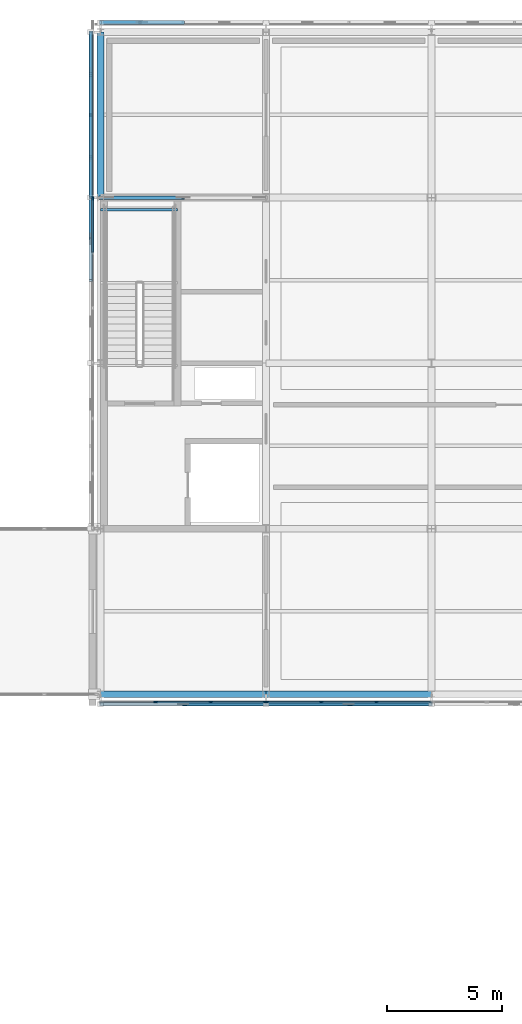
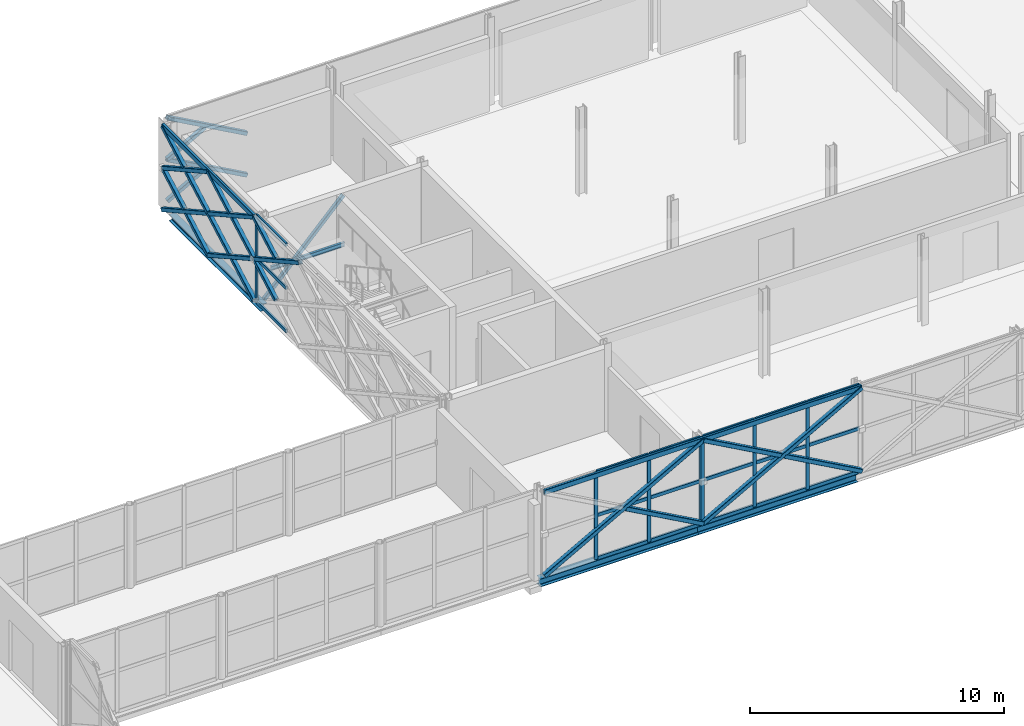
# One storey, part 52 of 103: 53 members, 4 beams, 3 elements without a shape of their own.
"""IFC4 building model written with IfcOpenShell, lengths in metres."""

from ifc_helpers import new_model, si_unit, direction, frame, origin, origin_2d, place, context, subcontext, project, spatial, rectangle, hollow_rectangle, i_section, extrude, material, material_profile, profile_set, type_object, element, aggregate, save


model = new_model("IFC4")

# Units and contexts
model_context = context("Model", 3, precision=1e-05, world=origin(), true_north=direction((0.0, 1.0)))
body_context = subcontext(model_context, "Body", "Model", "MODEL_VIEW")
ifc_project = project(units=[si_unit("LENGTHUNIT", "METRE"), si_unit("AREAUNIT", "SQUARE_METRE"), si_unit("VOLUMEUNIT", "CUBIC_METRE"), si_unit("PLANEANGLEUNIT", "RADIAN"), si_unit("MASSUNIT", "GRAM", prefix="KILO")], contexts=[model_context])

# Site, building, storey
site_placement = place(None, origin())
site = spatial("IfcSite", under=ifc_project, at=site_placement, CompositionType="ELEMENT")
building_placement = place(site_placement, origin())
building = spatial("IfcBuilding", under=site, at=building_placement, Name="Zlatovets Crest Museum", CompositionType="ELEMENT")
storey_placement = place(building_placement, frame((0.0, 0.0, 12.89990234375)))
storey = spatial("IfcBuildingStorey", under=building, at=storey_placement, Name="L03", CompositionType="ELEMENT", Elevation=12.89990234375)

# Beams
ifc_material_1 = material(Name="Structural steel S355J2", Category="steel")
ifc_material_profile_1 = material_profile(ifc_material_1, i_section(OverallWidth=0.300048828125, OverallDepth=0.389892578125, WebThickness=0.010986328125, FlangeThickness=0.01904296875, FilletRadius=0.027099609375, at=origin_2d()), Name="HEA 400")
ifc_profile_set_1 = profile_set([ifc_material_profile_1], Name="Structural steel S355J2")
beam_type_1 = type_object("IfcBeamType", Name="Beam_B-02", PredefinedType="BEAM", material=ifc_profile_set_1)
for number, where, z_axis, x_axis, name in (
    (1, (57.60009765625, 86.39990234375, -0.434814453125), (1.0, 0.0, 0.0), (0.0, 1.0, 0.0), "V1 L03 Primary Girder B-02"),
    (2, (64.800048828125, 86.39990234375, -0.434814453125), (1.0, 0.0, 0.0), (0.0, 1.0, 0.0), "V1 L03 Primary Girder B-02"),
):
    element("IfcBeam", number, at=place(storey_placement, frame(where, z_axis=z_axis, x_axis=x_axis)), inside=storey, type_object=beam_type_1, Name=name, PredefinedType="BEAM", context=body_context, shape_type="SweptSolid", body=[
        extrude(i_section(OverallWidth=0.300048828125, OverallDepth=0.389892578125, WebThickness=0.010986328125, FlangeThickness=0.01904296875, FilletRadius=0.027099609375, at=origin_2d()), origin(), (0.0, 0.0, 1.0), 7.199951171875),
    ])
ifc_material_profile_2 = material_profile(ifc_material_1, i_section(OverallWidth=0.300048828125, OverallDepth=0.31005859375, WebThickness=0.009033203125, FlangeThickness=0.015380859375, FilletRadius=0.027099609375, at=origin_2d()), Name="HEA 320")
ifc_profile_set_2 = profile_set([ifc_material_profile_2], Name="Structural steel S355J2")
beam_type_2 = type_object("IfcBeamType", Name="Beam_B-04", PredefinedType="BEAM", material=ifc_profile_set_2)
beam_1_placement = place(storey_placement, frame((57.60009765625, 108.0, -0.39501953125), z_axis=(0.0, 1.0, 0.0), x_axis=(-1.0, 0.0, 0.0)))
element("IfcBeam", 3, at=beam_1_placement, inside=storey, type_object=beam_type_2, Name="V1 L03 Grid Beam B-04", PredefinedType="BEAM", context=body_context, shape_type="SweptSolid", body=[
    extrude(i_section(OverallWidth=0.300048828125, OverallDepth=0.31005859375, WebThickness=0.009033203125, FlangeThickness=0.015380859375, FilletRadius=0.027099609375, at=origin_2d()), origin(), (0.0, 0.0, 1.0), 7.199951171875),
])
ifc_material_profile_3 = material_profile(ifc_material_1, i_section(OverallWidth=0.10009765625, OverallDepth=0.199951171875, WebThickness=0.005615234375, FlangeThickness=0.008544921875, FilletRadius=0.011962890625, at=origin_2d()), Name="IPE 200")
ifc_profile_set_3 = profile_set([ifc_material_profile_3], Name="Structural steel S355J2")
beam_type_3 = type_object("IfcBeamType", Name="Beam_PR-02", PredefinedType="LINTEL", material=ifc_profile_set_3)
beam_2_placement = place(storey_placement, frame((57.60009765625, 107.47998046875, 1.800048828125), z_axis=(1.0, 0.0, 0.0), x_axis=(0.0, 1.0, 0.0)))
element("IfcBeam", 4, at=beam_2_placement, inside=storey, type_object=beam_type_3, Name="Core C1 L03 Half-Landing Support Beam", PredefinedType="LINTEL", context=body_context, shape_type="SweptSolid", body=[
    extrude(i_section(OverallWidth=0.10009765625, OverallDepth=0.199951171875, WebThickness=0.005615234375, FlangeThickness=0.008544921875, FilletRadius=0.011962890625, at=origin_2d()), origin(), (0.0, 0.0, 1.0), 3.349853515625),
])

# Curtain wall, members
ifc_material_2 = material(Name="Bronze-anodised aluminium and low-E triple glass", Category="aluminium")
curtain_wall_type_1 = type_object("IfcCurtainWallType", Name="CW_CW-V1-L03-M0", PredefinedType="NOTDEFINED", material=ifc_material_2)
curtain_wall_1_placement = place(storey_placement, origin())
curtain_wall_1 = element("IfcCurtainWall", 5, at=curtain_wall_1_placement, inside=storey, type_object=curtain_wall_type_1, Name="V1 L03 Secession Foyer Clear Curtain Wall", PredefinedType="NOTDEFINED")
ifc_material_3 = material(Name="Bronze-anodised aluminium EN AW-6060", Category="aluminium")
ifc_material_profile_4 = material_profile(ifc_material_3, rectangle(XDim=0.080078125, YDim=0.159912109375, at=origin_2d()), Name="ALU 80x160")
ifc_profile_set_4 = profile_set([ifc_material_profile_4], Name="Bronze-anodised aluminium EN AW-6060")
member_type_1 = type_object("IfcMemberType", Name="CWMull_M1", PredefinedType="MULLION", material=ifc_profile_set_4)
member_1_placement = place(storey_placement, frame((60.0, 86.06005859375, 0.0), z_axis=(0.0, 0.0, 1.0), x_axis=(0.0, 1.0, 0.0)))
member_1 = element("IfcMember", 6, at=member_1_placement, type_object=member_type_1, Name="CW-V1-L03-M0 mullion 2", PredefinedType="MULLION", context=body_context, shape_type="SweptSolid", body=[
    extrude(rectangle(XDim=0.080078125, YDim=0.159912109375, at=origin_2d()), origin(), (0.0, 0.0, 1.0), 4.2001953125),
])
member_2_placement = place(storey_placement, frame((62.39990234375, 86.06005859375, 0.0), z_axis=(0.0, 0.0, 1.0), x_axis=(0.0, 1.0, 0.0)))
member_2 = element("IfcMember", 7, at=member_2_placement, type_object=member_type_1, Name="CW-V1-L03-M0 mullion 3", PredefinedType="MULLION", context=body_context, shape_type="SweptSolid", body=[
    extrude(rectangle(XDim=0.080078125, YDim=0.159912109375, at=origin_2d()), origin(), (0.0, 0.0, 1.0), 4.2001953125),
])
member_3_placement = place(storey_placement, frame((64.77001953125, 86.06005859375, 0.0), z_axis=(0.0, 0.0, 1.0), x_axis=(0.0, 1.0, 0.0)))
member_3 = element("IfcMember", 8, at=member_3_placement, type_object=member_type_1, Name="CW-V1-L03-M0 mullion 4", PredefinedType="MULLION", context=body_context, shape_type="SweptSolid", body=[
    extrude(rectangle(XDim=0.080078125, YDim=0.159912109375, at=origin_2d()), origin(), (0.0, 0.0, 1.0), 4.2001953125),
])

curtain_wall_type_2 = type_object("IfcCurtainWallType", Name="CW_CW-V1-L03-M1", PredefinedType="NOTDEFINED", material=ifc_material_2)
curtain_wall_2_placement = place(storey_placement, origin())
curtain_wall_2 = element("IfcCurtainWall", 9, at=curtain_wall_2_placement, inside=storey, type_object=curtain_wall_type_2, Name="V1 L03 Secession Foyer Clear Curtain Wall", PredefinedType="NOTDEFINED")
member_4_placement = place(storey_placement, frame((64.830078125, 86.06005859375, 0.0), z_axis=(0.0, 0.0, 1.0), x_axis=(0.0, 1.0, 0.0)))
member_4 = element("IfcMember", 10, at=member_4_placement, type_object=member_type_1, Name="CW-V1-L03-M1 mullion 1", PredefinedType="MULLION", context=body_context, shape_type="SweptSolid", body=[
    extrude(rectangle(XDim=0.080078125, YDim=0.159912109375, at=origin_2d()), origin(), (0.0, 0.0, 1.0), 4.2001953125),
])
member_5_placement = place(storey_placement, frame((67.199951171875, 86.06005859375, 0.0), z_axis=(0.0, 0.0, 1.0), x_axis=(0.0, 1.0, 0.0)))
member_5 = element("IfcMember", 11, at=member_5_placement, type_object=member_type_1, Name="CW-V1-L03-M1 mullion 2", PredefinedType="MULLION", context=body_context, shape_type="SweptSolid", body=[
    extrude(rectangle(XDim=0.080078125, YDim=0.159912109375, at=origin_2d()), origin(), (0.0, 0.0, 1.0), 4.2001953125),
])
member_6_placement = place(storey_placement, frame((69.60009765625, 86.06005859375, 0.0), z_axis=(0.0, 0.0, 1.0), x_axis=(0.0, 1.0, 0.0)))
member_6 = element("IfcMember", 12, at=member_6_placement, type_object=member_type_1, Name="CW-V1-L03-M1 mullion 3", PredefinedType="MULLION", context=body_context, shape_type="SweptSolid", body=[
    extrude(rectangle(XDim=0.080078125, YDim=0.159912109375, at=origin_2d()), origin(), (0.0, 0.0, 1.0), 4.2001953125),
])

# Curtain wall, member
curtain_wall_type_3 = type_object("IfcCurtainWallType", Name="CW_CW-V1-L03-M3", PredefinedType="NOTDEFINED", material=ifc_material_2)
curtain_wall_3_placement = place(storey_placement, origin())
curtain_wall_3 = element("IfcCurtainWall", 13, at=curtain_wall_3_placement, inside=storey, type_object=curtain_wall_type_3, Name="V1 L03 Expressed Core Glazed Facade", PredefinedType="NOTDEFINED")
member_7_placement = place(storey_placement, frame((57.260009765625, 107.969970703125, 0.0), z_axis=(0.0, 0.0, 1.0), x_axis=(1.0, 0.0, 0.0)))
member_7 = element("IfcMember", 14, at=member_7_placement, type_object=member_type_1, Name="CW-V1-L03-M3 mullion 1", PredefinedType="MULLION", context=body_context, shape_type="SweptSolid", body=[
    extrude(rectangle(XDim=0.080078125, YDim=0.159912109375, at=origin_2d()), origin(), (0.0, 0.0, 1.0), 4.2001953125),
])

# Member
ifc_material_profile_5 = material_profile(ifc_material_3, rectangle(XDim=0.080078125, YDim=0.159912109375, at=origin_2d()), Name="ALU 80x160")
ifc_profile_set_5 = profile_set([ifc_material_profile_5], Name="Bronze-anodised aluminium EN AW-6060")
member_type_2 = type_object("IfcMemberType", Name="CWTrans_T1", PredefinedType="USERDEFINED", material=ifc_profile_set_5)
member_8_placement = place(storey_placement, frame((60.030029296875, 86.06005859375, 0.030029296875), z_axis=(1.0, 0.0, 0.0), x_axis=(0.0, 1.0, 0.0)))
member_8 = element("IfcMember", 15, at=member_8_placement, type_object=member_type_2, Name="CW-V1-L03-M0 transom 2.1", ObjectType="TRANSOM", PredefinedType="USERDEFINED", context=body_context, shape_type="SweptSolid", body=[
    extrude(rectangle(XDim=0.080078125, YDim=0.159912109375, at=origin_2d()), origin(), (0.0, 0.0, 1.0), 2.340087890625),
])

member_9_placement = place(storey_placement, frame((60.030029296875, 86.06005859375, 2.10009765625), z_axis=(1.0, 0.0, 0.0), x_axis=(0.0, 1.0, 0.0)))
member_9 = element("IfcMember", 16, at=member_9_placement, type_object=member_type_2, Name="CW-V1-L03-M0 transom 2.2", ObjectType="TRANSOM", PredefinedType="USERDEFINED", context=body_context, shape_type="SweptSolid", body=[
    extrude(rectangle(XDim=0.080078125, YDim=0.159912109375, at=origin_2d()), origin(), (0.0, 0.0, 1.0), 2.340087890625),
])

member_10_placement = place(storey_placement, frame((60.030029296875, 86.06005859375, 4.170166015625), z_axis=(1.0, 0.0, 0.0), x_axis=(0.0, 1.0, 0.0)))
member_10 = element("IfcMember", 17, at=member_10_placement, type_object=member_type_2, Name="CW-V1-L03-M0 transom 2.3", ObjectType="TRANSOM", PredefinedType="USERDEFINED", context=body_context, shape_type="SweptSolid", body=[
    extrude(rectangle(XDim=0.080078125, YDim=0.159912109375, at=origin_2d()), origin(), (0.0, 0.0, 1.0), 2.340087890625),
])

member_11_placement = place(storey_placement, frame((62.429931640625, 86.06005859375, 0.030029296875), z_axis=(1.0, 0.0, 0.0), x_axis=(0.0, 1.0, 0.0)))
member_11 = element("IfcMember", 18, at=member_11_placement, type_object=member_type_2, Name="CW-V1-L03-M0 transom 3.1", ObjectType="TRANSOM", PredefinedType="USERDEFINED", context=body_context, shape_type="SweptSolid", body=[
    extrude(rectangle(XDim=0.080078125, YDim=0.159912109375, at=origin_2d()), origin(), (0.0, 0.0, 1.0), 2.31005859375),
])

member_12_placement = place(storey_placement, frame((62.429931640625, 86.06005859375, 2.10009765625), z_axis=(1.0, 0.0, 0.0), x_axis=(0.0, 1.0, 0.0)))
member_12 = element("IfcMember", 19, at=member_12_placement, type_object=member_type_2, Name="CW-V1-L03-M0 transom 3.2", ObjectType="TRANSOM", PredefinedType="USERDEFINED", context=body_context, shape_type="SweptSolid", body=[
    extrude(rectangle(XDim=0.080078125, YDim=0.159912109375, at=origin_2d()), origin(), (0.0, 0.0, 1.0), 2.31005859375),
])

member_13_placement = place(storey_placement, frame((62.429931640625, 86.06005859375, 4.170166015625), z_axis=(1.0, 0.0, 0.0), x_axis=(0.0, 1.0, 0.0)))
member_13 = element("IfcMember", 20, at=member_13_placement, type_object=member_type_2, Name="CW-V1-L03-M0 transom 3.3", ObjectType="TRANSOM", PredefinedType="USERDEFINED", context=body_context, shape_type="SweptSolid", body=[
    extrude(rectangle(XDim=0.080078125, YDim=0.159912109375, at=origin_2d()), origin(), (0.0, 0.0, 1.0), 2.31005859375),
])

aggregate(curtain_wall_1, [member_1, member_2, member_3, member_8, member_9, member_10, member_11, member_12, member_13])

member_14_placement = place(storey_placement, frame((64.860107421875, 86.06005859375, 0.030029296875), z_axis=(1.0, 0.0, 0.0), x_axis=(0.0, 1.0, 0.0)))
member_14 = element("IfcMember", 21, at=member_14_placement, type_object=member_type_2, Name="CW-V1-L03-M1 transom 1.1", ObjectType="TRANSOM", PredefinedType="USERDEFINED", context=body_context, shape_type="SweptSolid", body=[
    extrude(rectangle(XDim=0.080078125, YDim=0.159912109375, at=origin_2d()), origin(), (0.0, 0.0, 1.0), 2.309814453125),
])

member_15_placement = place(storey_placement, frame((64.860107421875, 86.06005859375, 2.10009765625), z_axis=(1.0, 0.0, 0.0), x_axis=(0.0, 1.0, 0.0)))
member_15 = element("IfcMember", 22, at=member_15_placement, type_object=member_type_2, Name="CW-V1-L03-M1 transom 1.2", ObjectType="TRANSOM", PredefinedType="USERDEFINED", context=body_context, shape_type="SweptSolid", body=[
    extrude(rectangle(XDim=0.080078125, YDim=0.159912109375, at=origin_2d()), origin(), (0.0, 0.0, 1.0), 2.309814453125),
])

member_16_placement = place(storey_placement, frame((64.860107421875, 86.06005859375, 4.170166015625), z_axis=(1.0, 0.0, 0.0), x_axis=(0.0, 1.0, 0.0)))
member_16 = element("IfcMember", 23, at=member_16_placement, type_object=member_type_2, Name="CW-V1-L03-M1 transom 1.3", ObjectType="TRANSOM", PredefinedType="USERDEFINED", context=body_context, shape_type="SweptSolid", body=[
    extrude(rectangle(XDim=0.080078125, YDim=0.159912109375, at=origin_2d()), origin(), (0.0, 0.0, 1.0), 2.309814453125),
])

member_17_placement = place(storey_placement, frame((67.22998046875, 86.06005859375, 0.030029296875), z_axis=(1.0, 0.0, 0.0), x_axis=(0.0, 1.0, 0.0)))
member_17 = element("IfcMember", 24, at=member_17_placement, type_object=member_type_2, Name="CW-V1-L03-M1 transom 2.1", ObjectType="TRANSOM", PredefinedType="USERDEFINED", context=body_context, shape_type="SweptSolid", body=[
    extrude(rectangle(XDim=0.080078125, YDim=0.159912109375, at=origin_2d()), origin(), (0.0, 0.0, 1.0), 2.340087890625),
])

member_18_placement = place(storey_placement, frame((67.22998046875, 86.06005859375, 2.10009765625), z_axis=(1.0, 0.0, 0.0), x_axis=(0.0, 1.0, 0.0)))
member_18 = element("IfcMember", 25, at=member_18_placement, type_object=member_type_2, Name="CW-V1-L03-M1 transom 2.2", ObjectType="TRANSOM", PredefinedType="USERDEFINED", context=body_context, shape_type="SweptSolid", body=[
    extrude(rectangle(XDim=0.080078125, YDim=0.159912109375, at=origin_2d()), origin(), (0.0, 0.0, 1.0), 2.340087890625),
])

member_19_placement = place(storey_placement, frame((67.22998046875, 86.06005859375, 4.170166015625), z_axis=(1.0, 0.0, 0.0), x_axis=(0.0, 1.0, 0.0)))
member_19 = element("IfcMember", 26, at=member_19_placement, type_object=member_type_2, Name="CW-V1-L03-M1 transom 2.3", ObjectType="TRANSOM", PredefinedType="USERDEFINED", context=body_context, shape_type="SweptSolid", body=[
    extrude(rectangle(XDim=0.080078125, YDim=0.159912109375, at=origin_2d()), origin(), (0.0, 0.0, 1.0), 2.340087890625),
])

member_20_placement = place(storey_placement, frame((69.6298828125, 86.06005859375, 0.030029296875), z_axis=(1.0, 0.0, 0.0), x_axis=(0.0, 1.0, 0.0)))
member_20 = element("IfcMember", 27, at=member_20_placement, type_object=member_type_2, Name="CW-V1-L03-M1 transom 3.1", ObjectType="TRANSOM", PredefinedType="USERDEFINED", context=body_context, shape_type="SweptSolid", body=[
    extrude(rectangle(XDim=0.080078125, YDim=0.159912109375, at=origin_2d()), origin(), (0.0, 0.0, 1.0), 2.31005859375),
])

member_21_placement = place(storey_placement, frame((69.6298828125, 86.06005859375, 2.10009765625), z_axis=(1.0, 0.0, 0.0), x_axis=(0.0, 1.0, 0.0)))
member_21 = element("IfcMember", 28, at=member_21_placement, type_object=member_type_2, Name="CW-V1-L03-M1 transom 3.2", ObjectType="TRANSOM", PredefinedType="USERDEFINED", context=body_context, shape_type="SweptSolid", body=[
    extrude(rectangle(XDim=0.080078125, YDim=0.159912109375, at=origin_2d()), origin(), (0.0, 0.0, 1.0), 2.31005859375),
])

member_22_placement = place(storey_placement, frame((69.6298828125, 86.06005859375, 4.170166015625), z_axis=(1.0, 0.0, 0.0), x_axis=(0.0, 1.0, 0.0)))
member_22 = element("IfcMember", 29, at=member_22_placement, type_object=member_type_2, Name="CW-V1-L03-M1 transom 3.3", ObjectType="TRANSOM", PredefinedType="USERDEFINED", context=body_context, shape_type="SweptSolid", body=[
    extrude(rectangle(XDim=0.080078125, YDim=0.159912109375, at=origin_2d()), origin(), (0.0, 0.0, 1.0), 2.31005859375),
])

aggregate(curtain_wall_2, [member_4, member_5, member_6, member_14, member_15, member_16, member_17, member_18, member_19, member_20, member_21, member_22])

member_23_placement = place(storey_placement, frame((57.260009765625, 107.93994140625, 0.030029296875), z_axis=(0.0, -1.0, 0.0), x_axis=(1.0, 0.0, 0.0)))
member_23 = element("IfcMember", 30, at=member_23_placement, type_object=member_type_2, Name="CW-V1-L03-M3 transom 1.1", ObjectType="TRANSOM", PredefinedType="USERDEFINED", context=body_context, shape_type="SweptSolid", body=[
    extrude(rectangle(XDim=0.080078125, YDim=0.159912109375, at=origin_2d()), origin(), (0.0, 0.0, 1.0), 2.31005859375),
])

member_24_placement = place(storey_placement, frame((57.260009765625, 107.93994140625, 2.10009765625), z_axis=(0.0, -1.0, 0.0), x_axis=(1.0, 0.0, 0.0)))
member_24 = element("IfcMember", 31, at=member_24_placement, type_object=member_type_2, Name="CW-V1-L03-M3 transom 1.2", ObjectType="TRANSOM", PredefinedType="USERDEFINED", context=body_context, shape_type="SweptSolid", body=[
    extrude(rectangle(XDim=0.080078125, YDim=0.159912109375, at=origin_2d()), origin(), (0.0, 0.0, 1.0), 2.31005859375),
])

member_25_placement = place(storey_placement, frame((57.260009765625, 107.93994140625, 4.170166015625), z_axis=(0.0, -1.0, 0.0), x_axis=(1.0, 0.0, 0.0)))
member_25 = element("IfcMember", 32, at=member_25_placement, type_object=member_type_2, Name="CW-V1-L03-M3 transom 1.3", ObjectType="TRANSOM", PredefinedType="USERDEFINED", context=body_context, shape_type="SweptSolid", body=[
    extrude(rectangle(XDim=0.080078125, YDim=0.159912109375, at=origin_2d()), origin(), (0.0, 0.0, 1.0), 2.31005859375),
])

aggregate(curtain_wall_3, [member_7, member_23, member_24, member_25])

# Members
ifc_material_4 = material(Name="Weathering bronze-steel S355J2W", Category="steel")
ifc_material_profile_6 = material_profile(ifc_material_4, hollow_rectangle(XDim=0.179931640625, YDim=0.179931640625, WallThickness=0.010009765625, InnerFilletRadius=0.010009765625, OuterFilletRadius=0.02001953125, at=origin_2d()), Name="SHS 180x180x10.0")
ifc_profile_set_6 = profile_set([ifc_material_profile_6], Name="Weathering bronze-steel S355J2W")
member_type_3 = type_object("IfcMemberType", Name="Lattice_XL-01", PredefinedType="BRACE", material=ifc_profile_set_6)
member_26_placement = place(storey_placement, frame((61.199951171875, 115.6201171875, 0.10009765625), z_axis=(-0.874148886685, 0.0, 0.485658031857), x_axis=(0.0, -1.0, 0.0)))
element("IfcMember", 33, at=member_26_placement, inside=storey, type_object=member_type_3, Name="Continuous Bronze Lattice Diagonal", PredefinedType="BRACE", context=body_context, shape_type="SweptSolid", body=[
    extrude(hollow_rectangle(XDim=0.179931640625, YDim=0.179931640625, WallThickness=0.010009765625, InnerFilletRadius=0.010009765625, OuterFilletRadius=0.02001953125, at=origin_2d()), origin(), (0.0, 0.0, 1.0), 4.1181640625),
])
member_27_placement = place(storey_placement, frame((59.31689453125, 115.6201171875, 1.053955078125), z_axis=(-0.874139684676, 0.0, -0.48567459443), x_axis=(0.0, -1.0, 0.0)))
element("IfcMember", 34, at=member_27_placement, inside=storey, type_object=member_type_3, Name="Split Crossing Bronze Lattice Diagonal Lower", PredefinedType="BRACE", context=body_context, shape_type="SweptSolid", body=[
    extrude(hollow_rectangle(XDim=0.179931640625, YDim=0.179931640625, WallThickness=0.010009765625, InnerFilletRadius=0.010009765625, OuterFilletRadius=0.02001953125, at=origin_2d()), origin(), (0.0, 0.0, 1.0), 1.9638671875),
])
member_28_placement = place(storey_placement, frame((61.199951171875, 115.6201171875, 2.10009765625), z_axis=(-0.874148886685, 0.0, 0.485658031857), x_axis=(0.0, -1.0, 0.0)))
element("IfcMember", 35, at=member_28_placement, inside=storey, type_object=member_type_3, Name="Continuous Bronze Lattice Diagonal", PredefinedType="BRACE", context=body_context, shape_type="SweptSolid", body=[
    extrude(hollow_rectangle(XDim=0.179931640625, YDim=0.179931640625, WallThickness=0.010009765625, InnerFilletRadius=0.010009765625, OuterFilletRadius=0.02001953125, at=origin_2d()), origin(), (0.0, 0.0, 1.0), 4.1181640625),
])
member_29_placement = place(storey_placement, frame((59.31689453125, 115.6201171875, 3.053955078125), z_axis=(-0.874139684676, 0.0, -0.48567459443), x_axis=(0.0, -1.0, 0.0)))
element("IfcMember", 36, at=member_29_placement, inside=storey, type_object=member_type_3, Name="Split Crossing Bronze Lattice Diagonal Lower", PredefinedType="BRACE", context=body_context, shape_type="SweptSolid", body=[
    extrude(hollow_rectangle(XDim=0.179931640625, YDim=0.179931640625, WallThickness=0.010009765625, InnerFilletRadius=0.010009765625, OuterFilletRadius=0.02001953125, at=origin_2d()), origin(), (0.0, 0.0, 1.0), 1.9638671875),
])
member_30_placement = place(storey_placement, frame((57.179931640625, 115.199951171875, 0.10009765625), z_axis=(0.0, -0.874148886685, 0.485658031857), x_axis=(1.0, 0.0, 0.0)))
element("IfcMember", 37, at=member_30_placement, inside=storey, type_object=member_type_3, Name="Continuous Bronze Lattice Diagonal", PredefinedType="BRACE", context=body_context, shape_type="SweptSolid", body=[
    extrude(hollow_rectangle(XDim=0.179931640625, YDim=0.179931640625, WallThickness=0.010009765625, InnerFilletRadius=0.010009765625, OuterFilletRadius=0.02001953125, at=origin_2d()), origin(), (0.0, 0.0, 1.0), 4.1181640625),
])
member_31_placement = place(storey_placement, frame((57.179931640625, 115.199951171875, 2.10009765625), z_axis=(0.0, -0.874169001841, -0.485621824284), x_axis=(1.0, 0.0, 0.0)))
element("IfcMember", 38, at=member_31_placement, inside=storey, type_object=member_type_3, Name="Split Crossing Bronze Lattice Diagonal Upper", PredefinedType="BRACE", context=body_context, shape_type="SweptSolid", body=[
    extrude(hollow_rectangle(XDim=0.179931640625, YDim=0.179931640625, WallThickness=0.010009765625, InnerFilletRadius=0.010009765625, OuterFilletRadius=0.02001953125, at=origin_2d()), origin(), (0.0, 0.0, 1.0), 1.964111328125),
])
member_32_placement = place(storey_placement, frame((57.179931640625, 113.31689453125, 1.053955078125), z_axis=(0.0, -0.874139684676, -0.48567459443), x_axis=(1.0, 0.0, 0.0)))
element("IfcMember", 39, at=member_32_placement, inside=storey, type_object=member_type_3, Name="Split Crossing Bronze Lattice Diagonal Lower", PredefinedType="BRACE", context=body_context, shape_type="SweptSolid", body=[
    extrude(hollow_rectangle(XDim=0.179931640625, YDim=0.179931640625, WallThickness=0.010009765625, InnerFilletRadius=0.010009765625, OuterFilletRadius=0.02001953125, at=origin_2d()), origin(), (0.0, 0.0, 1.0), 1.9638671875),
])
member_33_placement = place(storey_placement, frame((57.179931640625, 111.60009765625, 0.10009765625), z_axis=(0.0, -0.874162868644, 0.485632864501), x_axis=(1.0, 0.0, 0.0)))
element("IfcMember", 40, at=member_33_placement, inside=storey, type_object=member_type_3, Name="Continuous Bronze Lattice Diagonal", PredefinedType="BRACE", context=body_context, shape_type="SweptSolid", body=[
    extrude(hollow_rectangle(XDim=0.179931640625, YDim=0.179931640625, WallThickness=0.010009765625, InnerFilletRadius=0.010009765625, OuterFilletRadius=0.02001953125, at=origin_2d()), origin(), (0.0, 0.0, 1.0), 4.118408203125),
])
for number, where, z_axis, x_axis, name in (
    (41, (57.179931640625, 111.60009765625, 2.10009765625), (0.0, -0.874169001841, -0.485621824284), (1.0, 0.0, 0.0), "Split Crossing Bronze Lattice Diagonal Upper"),
    (42, (57.179931640625, 109.717041015625, 1.053955078125), (0.0, -0.874169001841, -0.485621824284), (1.0, 0.0, 0.0), "Split Crossing Bronze Lattice Diagonal Lower"),
):
    element("IfcMember", number, at=place(storey_placement, frame(where, z_axis=z_axis, x_axis=x_axis)), inside=storey, type_object=member_type_3, Name=name, PredefinedType="BRACE", context=body_context, shape_type="SweptSolid", body=[
        extrude(hollow_rectangle(XDim=0.179931640625, YDim=0.179931640625, WallThickness=0.010009765625, InnerFilletRadius=0.010009765625, OuterFilletRadius=0.02001953125, at=origin_2d()), origin(), (0.0, 0.0, 1.0), 1.964111328125),
    ])
member_34_placement = place(storey_placement, frame((57.179931640625, 115.199951171875, 2.10009765625), z_axis=(0.0, -0.874148886685, 0.485658031857), x_axis=(1.0, 0.0, 0.0)))
element("IfcMember", 43, at=member_34_placement, inside=storey, type_object=member_type_3, Name="Continuous Bronze Lattice Diagonal", PredefinedType="BRACE", context=body_context, shape_type="SweptSolid", body=[
    extrude(hollow_rectangle(XDim=0.179931640625, YDim=0.179931640625, WallThickness=0.010009765625, InnerFilletRadius=0.010009765625, OuterFilletRadius=0.02001953125, at=origin_2d()), origin(), (0.0, 0.0, 1.0), 4.1181640625),
])
member_35_placement = place(storey_placement, frame((57.179931640625, 115.199951171875, 4.10009765625), z_axis=(0.0, -0.874169001841, -0.485621824284), x_axis=(1.0, 0.0, 0.0)))
element("IfcMember", 44, at=member_35_placement, inside=storey, type_object=member_type_3, Name="Split Crossing Bronze Lattice Diagonal Upper", PredefinedType="BRACE", context=body_context, shape_type="SweptSolid", body=[
    extrude(hollow_rectangle(XDim=0.179931640625, YDim=0.179931640625, WallThickness=0.010009765625, InnerFilletRadius=0.010009765625, OuterFilletRadius=0.02001953125, at=origin_2d()), origin(), (0.0, 0.0, 1.0), 1.964111328125),
])
member_36_placement = place(storey_placement, frame((57.179931640625, 113.31689453125, 3.053955078125), z_axis=(0.0, -0.874139684676, -0.48567459443), x_axis=(1.0, 0.0, 0.0)))
element("IfcMember", 45, at=member_36_placement, inside=storey, type_object=member_type_3, Name="Split Crossing Bronze Lattice Diagonal Lower", PredefinedType="BRACE", context=body_context, shape_type="SweptSolid", body=[
    extrude(hollow_rectangle(XDim=0.179931640625, YDim=0.179931640625, WallThickness=0.010009765625, InnerFilletRadius=0.010009765625, OuterFilletRadius=0.02001953125, at=origin_2d()), origin(), (0.0, 0.0, 1.0), 1.9638671875),
])
member_37_placement = place(storey_placement, frame((57.179931640625, 111.60009765625, 2.10009765625), z_axis=(0.0, -0.874162868644, 0.485632864501), x_axis=(1.0, 0.0, 0.0)))
element("IfcMember", 46, at=member_37_placement, inside=storey, type_object=member_type_3, Name="Continuous Bronze Lattice Diagonal", PredefinedType="BRACE", context=body_context, shape_type="SweptSolid", body=[
    extrude(hollow_rectangle(XDim=0.179931640625, YDim=0.179931640625, WallThickness=0.010009765625, InnerFilletRadius=0.010009765625, OuterFilletRadius=0.02001953125, at=origin_2d()), origin(), (0.0, 0.0, 1.0), 4.118408203125),
])
for number, where, z_axis, x_axis, name in (
    (47, (57.179931640625, 111.60009765625, 4.10009765625), (0.0, -0.874169001841, -0.485621824284), (1.0, 0.0, 0.0), "Split Crossing Bronze Lattice Diagonal Upper"),
    (48, (57.179931640625, 109.717041015625, 3.053955078125), (0.0, -0.874169001841, -0.485621824284), (1.0, 0.0, 0.0), "Split Crossing Bronze Lattice Diagonal Lower"),
    (49, (57.179931640625, 108.0, 2.10009765625), (0.0, -0.874169001841, -0.485621824284), (1.0, 0.0, 0.0), "Split Crossing Bronze Lattice Diagonal Upper"),
):
    element("IfcMember", number, at=place(storey_placement, frame(where, z_axis=z_axis, x_axis=x_axis)), inside=storey, type_object=member_type_3, Name=name, PredefinedType="BRACE", context=body_context, shape_type="SweptSolid", body=[
        extrude(hollow_rectangle(XDim=0.179931640625, YDim=0.179931640625, WallThickness=0.010009765625, InnerFilletRadius=0.010009765625, OuterFilletRadius=0.02001953125, at=origin_2d()), origin(), (0.0, 0.0, 1.0), 1.964111328125),
    ])
member_38_placement = place(storey_placement, frame((57.179931640625, 108.0, 2.10009765625), z_axis=(0.0, -0.874162868644, 0.485632864501), x_axis=(1.0, 0.0, 0.0)))
element("IfcMember", 50, at=member_38_placement, inside=storey, type_object=member_type_3, Name="Continuous Bronze Lattice Diagonal", PredefinedType="BRACE", context=body_context, shape_type="SweptSolid", body=[
    extrude(hollow_rectangle(XDim=0.179931640625, YDim=0.179931640625, WallThickness=0.010009765625, InnerFilletRadius=0.010009765625, OuterFilletRadius=0.02001953125, at=origin_2d()), origin(), (0.0, 0.0, 1.0), 4.118408203125),
])
member_39_placement = place(storey_placement, frame((57.179931640625, 108.0, 4.10009765625), z_axis=(0.0, -0.874169001841, -0.485621824284), x_axis=(1.0, 0.0, 0.0)))
element("IfcMember", 51, at=member_39_placement, inside=storey, type_object=member_type_3, Name="Split Crossing Bronze Lattice Diagonal Upper", PredefinedType="BRACE", context=body_context, shape_type="SweptSolid", body=[
    extrude(hollow_rectangle(XDim=0.179931640625, YDim=0.179931640625, WallThickness=0.010009765625, InnerFilletRadius=0.010009765625, OuterFilletRadius=0.02001953125, at=origin_2d()), origin(), (0.0, 0.0, 1.0), 1.964111328125),
])
ifc_material_profile_7 = material_profile(ifc_material_4, hollow_rectangle(XDim=0.199951171875, YDim=0.199951171875, WallThickness=0.012451171875, InnerFilletRadius=0.012451171875, OuterFilletRadius=0.02490234375, at=origin_2d()), Name="SHS 200x200x12.5")
ifc_profile_set_7 = profile_set([ifc_material_profile_7], Name="Weathering bronze-steel S355J2W")
member_type_4 = type_object("IfcMemberType", Name="Lattice_XL-02", PredefinedType="BRACE", material=ifc_profile_set_7)
member_40_placement = place(storey_placement, frame((57.60009765625, 85.97998046875, 0.10009765625), z_axis=(0.874155877937, 0.0, 0.485645447903), x_axis=(0.0, 1.0, 0.0)))
element("IfcMember", 52, at=member_40_placement, inside=storey, type_object=member_type_4, Name="Continuous Bronze Lattice Diagonal", PredefinedType="BRACE", context=body_context, shape_type="SweptSolid", body=[
    extrude(hollow_rectangle(XDim=0.199951171875, YDim=0.199951171875, WallThickness=0.012451171875, InnerFilletRadius=0.012451171875, OuterFilletRadius=0.02490234375, at=origin_2d()), origin(), (0.0, 0.0, 1.0), 8.236572265625),
])
member_41_placement = place(storey_placement, frame((61.282958984375, 85.97998046875, 2.053955078125), z_axis=(0.874165862873, 0.0, -0.485627474703), x_axis=(0.0, 1.0, 0.0)))
element("IfcMember", 53, at=member_41_placement, inside=storey, type_object=member_type_4, Name="Split Crossing Bronze Lattice Diagonal Lower", PredefinedType="BRACE", context=body_context, shape_type="SweptSolid", body=[
    extrude(hollow_rectangle(XDim=0.199951171875, YDim=0.199951171875, WallThickness=0.012451171875, InnerFilletRadius=0.012451171875, OuterFilletRadius=0.02490234375, at=origin_2d()), origin(), (0.0, 0.0, 1.0), 4.0234375),
])
member_42_placement = place(storey_placement, frame((64.800048828125, 85.97998046875, 0.10009765625), z_axis=(0.874155877937, 0.0, 0.485645447903), x_axis=(0.0, 1.0, 0.0)))
element("IfcMember", 54, at=member_42_placement, inside=storey, type_object=member_type_4, Name="Continuous Bronze Lattice Diagonal", PredefinedType="BRACE", context=body_context, shape_type="SweptSolid", body=[
    extrude(hollow_rectangle(XDim=0.199951171875, YDim=0.199951171875, WallThickness=0.012451171875, InnerFilletRadius=0.012451171875, OuterFilletRadius=0.02490234375, at=origin_2d()), origin(), (0.0, 0.0, 1.0), 8.236572265625),
])
member_43_placement = place(storey_placement, frame((64.800048828125, 85.97998046875, 4.10009765625), z_axis=(0.874151551165, 0.0, -0.485653235958), x_axis=(0.0, 1.0, 0.0)))
element("IfcMember", 55, at=member_43_placement, inside=storey, type_object=member_type_4, Name="Split Crossing Bronze Lattice Diagonal Upper", PredefinedType="BRACE", context=body_context, shape_type="SweptSolid", body=[
    extrude(hollow_rectangle(XDim=0.199951171875, YDim=0.199951171875, WallThickness=0.012451171875, InnerFilletRadius=0.012451171875, OuterFilletRadius=0.02490234375, at=origin_2d()), origin(), (0.0, 0.0, 1.0), 4.023193359375),
])
member_44_placement = place(storey_placement, frame((68.48291015625, 85.97998046875, 2.053955078125), z_axis=(0.874165862873, 0.0, -0.485627474703), x_axis=(0.0, 1.0, 0.0)))
element("IfcMember", 56, at=member_44_placement, inside=storey, type_object=member_type_4, Name="Split Crossing Bronze Lattice Diagonal Lower", PredefinedType="BRACE", context=body_context, shape_type="SweptSolid", body=[
    extrude(hollow_rectangle(XDim=0.199951171875, YDim=0.199951171875, WallThickness=0.012451171875, InnerFilletRadius=0.012451171875, OuterFilletRadius=0.02490234375, at=origin_2d()), origin(), (0.0, 0.0, 1.0), 4.0234375),
])
ifc_material_profile_8 = material_profile(ifc_material_4, hollow_rectangle(XDim=0.1201171875, YDim=0.239990234375, WallThickness=0.010009765625, InnerFilletRadius=0.010009765625, OuterFilletRadius=0.02001953125, at=origin_2d()), Name="RHS 120x240x10.0")
ifc_profile_set_8 = profile_set([ifc_material_profile_8], Name="Weathering bronze-steel S355J2W")
member_type_5 = type_object("IfcMemberType", Name="Lattice_XL-04", PredefinedType="CHORD", material=ifc_profile_set_8)
for number, where, z_axis, x_axis, name in (
    (57, (57.60009765625, 85.97998046875, 4.10009765625), (1.0, 0.0, 0.0), (0.0, 1.0, 0.0), "Art Nouveau Woven Cage Collector Ring Chord"),
    (58, (64.800048828125, 85.97998046875, 4.10009765625), (1.0, 0.0, 0.0), (0.0, 1.0, 0.0), "Art Nouveau Woven Cage Collector Ring Chord"),
    (59, (57.179931640625, 115.199951171875, 4.10009765625), (0.0, -1.0, 0.0), (1.0, 0.0, 0.0), "Art Nouveau Woven Cage Collector Ring Chord"),
):
    element("IfcMember", number, at=place(storey_placement, frame(where, z_axis=z_axis, x_axis=x_axis)), inside=storey, type_object=member_type_5, Name=name, PredefinedType="CHORD", context=body_context, shape_type="SweptSolid", body=[
        extrude(hollow_rectangle(XDim=0.1201171875, YDim=0.239990234375, WallThickness=0.010009765625, InnerFilletRadius=0.010009765625, OuterFilletRadius=0.02001953125, at=origin_2d()), origin(), (0.0, 0.0, 1.0), 7.199951171875),
    ])
ifc_material_profile_9 = material_profile(ifc_material_1, hollow_rectangle(XDim=0.159912109375, YDim=0.159912109375, WallThickness=0.010009765625, InnerFilletRadius=0.010009765625, OuterFilletRadius=0.02001953125, at=origin_2d()), Name="SHS 160x160x10.0")
ifc_profile_set_9 = profile_set([ifc_material_profile_9], Name="Structural steel S355J2")
member_type_6 = type_object("IfcMemberType", Name="Member_BR-03", PredefinedType="BRACE", material=ifc_profile_set_9)
member_45_placement = place(storey_placement, frame((57.60009765625, 108.0, 0.0), z_axis=(0.692517163318, 0.0, 0.721401399021), x_axis=(0.0, 1.0, 0.0)))
element("IfcMember", 60, at=member_45_placement, inside=storey, type_object=member_type_6, Name="V1 L03 Concentric Seismic Brace", PredefinedType="BRACE", context=body_context, shape_type="SweptSolid", body=[
    extrude(hollow_rectangle(XDim=0.159912109375, YDim=0.159912109375, WallThickness=0.010009765625, InnerFilletRadius=0.010009765625, OuterFilletRadius=0.02001953125, at=origin_2d()), origin(), (0.0, 0.0, 1.0), 5.1982421875),
])

save(model, "model.ifc")
